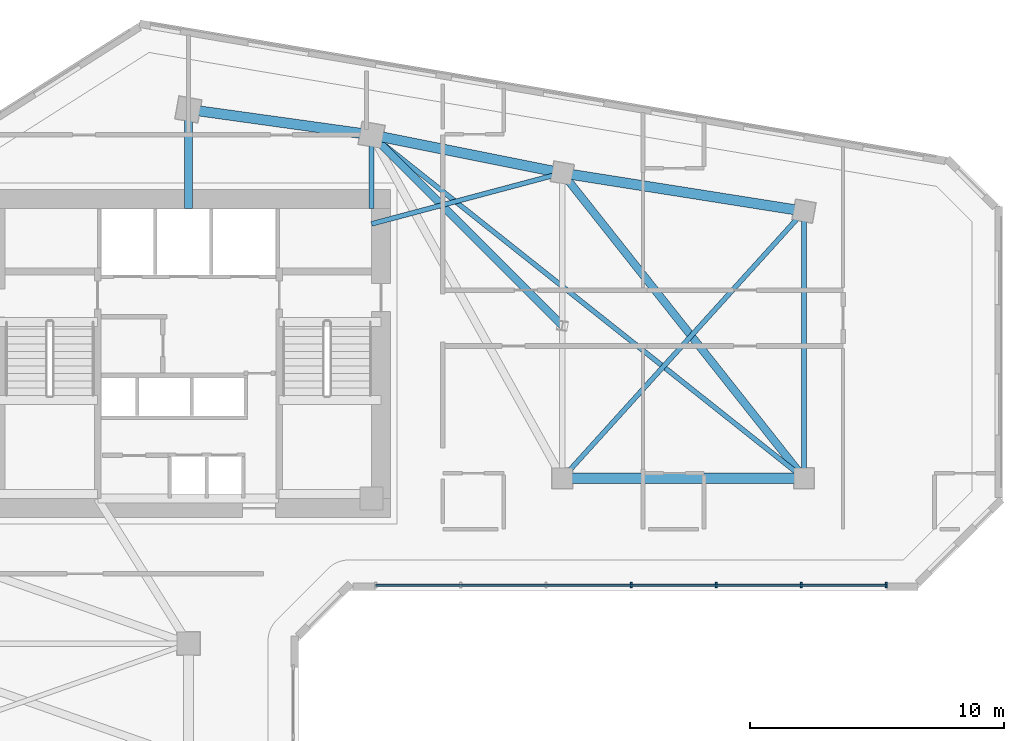
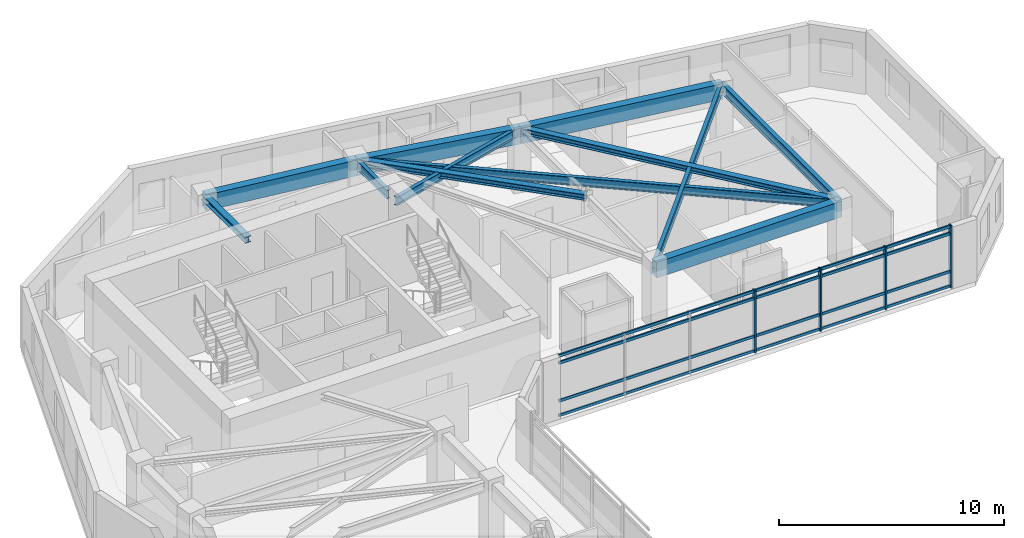
# One storey, part 3 of 11: 12 beams, 8 members, 1 element without a shape of its own.
"""IFC4 building model written with IfcOpenShell, lengths in metres."""

from ifc_helpers import new_model, si_unit, direction, frame, origin, origin_2d, place, context, subcontext, project, spatial, rectangle, i_section, extrude, source, transform, mapped, material, material_profile, profile_set, type_object, element, aggregate, save


model = new_model("IFC4")

# Units and contexts
model_context = context("Model", 3, precision=1e-05, world=origin(), true_north=direction((0.0, 1.0)))
body_context = subcontext(model_context, "Body", "Model", "MODEL_VIEW")
ifc_project = project(units=[si_unit("LENGTHUNIT", "METRE"), si_unit("AREAUNIT", "SQUARE_METRE"), si_unit("VOLUMEUNIT", "CUBIC_METRE"), si_unit("PLANEANGLEUNIT", "RADIAN"), si_unit("MASSUNIT", "GRAM", prefix="KILO")], contexts=[model_context])

# Site, building, storey
site_placement = place(None, origin())
site = spatial("IfcSite", under=ifc_project, at=site_placement, CompositionType="ELEMENT")
building_placement = place(site_placement, origin())
building = spatial("IfcBuilding", under=site, at=building_placement, Name="Calvemar Wedge Station Tower", CompositionType="ELEMENT")
storey_placement = place(building_placement, frame((0.0, 0.0, 161.0)))
storey = spatial("IfcBuildingStorey", under=building, at=storey_placement, Name="L40", CompositionType="ELEMENT", Elevation=161.0)

# Beams
ifc_material_1 = material(Name="Concrete C60", Category="concrete")
ifc_material_profile_1 = material_profile(ifc_material_1, rectangle(XDim=0.39990234375, YDim=0.85009765625, at=origin_2d()), Name="RC400x850")
ifc_profile_set_1 = profile_set([ifc_material_profile_1], Name="Concrete C60")
beam_type_1 = type_object("IfcBeamType", Name="BM-SP1-850", PredefinedType="SPANDREL", material=ifc_profile_set_1)
shared_shape_1 = source(origin(), body_context, "Body", "SweptSolid", [
    extrude(rectangle(XDim=0.39990234375, YDim=0.85009765625, at=origin_2d()), origin(), (0.0, 0.0, 1.0), 7.26904296875),
])
beam_1_placement = place(storey_placement, frame((23.800048828125, 49.5, 2.925048828125), z_axis=(0.990492146053, -0.13756928657, 0.0), x_axis=(0.13756928657, 0.990492146053, 0.0)))
element("IfcBeam", 1, at=beam_1_placement, inside=storey, type_object=beam_type_1, Name="Storey L40 Spandrel T-N1-T-N2", PredefinedType="SPANDREL", context=body_context, shape_type="MappedRepresentation", body=[
    mapped(shared_shape_1, transform((0.0, 0.0, 0.0), scale=1.0)),
])
shared_shape_2 = source(origin(), body_context, "Body", "SweptSolid", [
    extrude(rectangle(XDim=0.39990234375, YDim=0.85009765625, at=origin_2d()), origin(), (0.0, 0.0, 1.0), 7.6484375),
])
beam_2_placement = place(storey_placement, frame((31.0, 48.5, 2.925048828125), z_axis=(0.980580675691, -0.196116135138, 0.0), x_axis=(0.196116135138, 0.980580675691, 0.0)))
element("IfcBeam", 2, at=beam_2_placement, inside=storey, type_object=beam_type_1, Name="Storey L40 Spandrel T-N2-T-NU3", PredefinedType="SPANDREL", context=body_context, shape_type="MappedRepresentation", body=[
    mapped(shared_shape_2, transform((0.0, 0.0, 0.0), scale=1.0)),
])
shared_shape_3 = source(origin(), body_context, "Body", "SweptSolid", [
    extrude(rectangle(XDim=0.39990234375, YDim=0.85009765625, at=origin_2d()), origin(), (0.0, 0.0, 1.0), 9.61767578125),
])
beam_3_placement = place(storey_placement, frame((38.5, 47.0, 2.925048828125), z_axis=(0.987762965329, -0.155962573473, 0.0), x_axis=(0.155962573473, 0.987762965329, 0.0)))
element("IfcBeam", 3, at=beam_3_placement, inside=storey, type_object=beam_type_1, Name="Storey L40 Spandrel T-NU3-T-NU4", PredefinedType="SPANDREL", context=body_context, shape_type="MappedRepresentation", body=[
    mapped(shared_shape_3, transform((0.0, 0.0, 0.0), scale=1.0)),
])
shared_shape_4 = source(origin(), body_context, "Body", "SweptSolid", [
    extrude(rectangle(XDim=0.39990234375, YDim=0.85009765625, at=origin_2d()), origin(), (0.0, 0.0, 1.0), 9.5),
])
beam_4_placement = place(storey_placement, frame((38.5, 35.0, 2.925048828125), z_axis=(1.0, 0.0, 0.0), x_axis=(0.0, 1.0, 0.0)))
element("IfcBeam", 4, at=beam_4_placement, inside=storey, type_object=beam_type_1, Name="Storey L40 Spandrel T-NL2-T-NL3", PredefinedType="SPANDREL", context=body_context, shape_type="MappedRepresentation", body=[
    mapped(shared_shape_4, transform((0.0, 0.0, 0.0), scale=1.0)),
])
ifc_material_2 = material(Name="Structural steel ASTM A572 Grade 50", Category="steel")
ifc_material_profile_2 = material_profile(ifc_material_2, i_section(OverallWidth=0.19189453125, OverallDepth=0.462890625, WebThickness=0.010498046875, FlangeThickness=0.017578125, FilletRadius=0.012939453125, at=origin_2d()), Name="W460x89")
ifc_profile_set_2 = profile_set([ifc_material_profile_2], Name="Structural steel ASTM A572 Grade 50")
beam_type_2 = type_object("IfcBeamType", Name="BM-J1-W460", PredefinedType="JOIST", material=ifc_profile_set_2)
shared_shape_5 = source(origin(), body_context, "Body", "SweptSolid", [
    extrude(i_section(OverallWidth=0.19189453125, OverallDepth=0.462890625, WebThickness=0.010498046875, FlangeThickness=0.017578125, FilletRadius=0.012939453125, at=origin_2d()), origin(), (0.0, 0.0, 1.0), 21.708251953125),
])
beam_5_placement = place(storey_placement, frame((31.0, 48.5, 3.118408203125), z_axis=(0.783110847498, -0.621882143602, 0.0), x_axis=(0.621882143602, 0.783110847498, 0.0)))
element("IfcBeam", 5, at=beam_5_placement, inside=storey, type_object=beam_type_2, Name="Storey L40 Floor Beam T-N2-T-NL3", PredefinedType="JOIST", context=body_context, shape_type="MappedRepresentation", body=[
    mapped(shared_shape_5, transform((0.0, 0.0, 0.0), scale=1.0)),
])
ifc_material_profile_3 = material_profile(ifc_material_2, i_section(OverallWidth=0.30908203125, OverallDepth=0.322998046875, WebThickness=0.013916015625, FlangeThickness=0.02294921875, FilletRadius=0.014892578125, at=origin_2d()), Name="W310x143")
ifc_profile_set_3 = profile_set([ifc_material_profile_3], Name="Structural steel ASTM A572 Grade 50")
beam_type_3 = type_object("IfcBeamType", Name="BM-J5-W310H", PredefinedType="JOIST", material=ifc_profile_set_3)
shared_shape_6 = source(origin(), body_context, "Body", "SweptSolid", [
    extrude(i_section(OverallWidth=0.30908203125, OverallDepth=0.322998046875, WebThickness=0.013916015625, FlangeThickness=0.02294921875, FilletRadius=0.014892578125, at=origin_2d()), origin(), (0.0, 0.0, 1.0), 15.30517578125),
])
beam_6_placement = place(storey_placement, frame((38.5, 47.0, 3.1884765625), z_axis=(0.620702944366, -0.784045824462, 0.0), x_axis=(0.784045824462, 0.620702944366, 0.0)))
element("IfcBeam", 6, at=beam_6_placement, inside=storey, type_object=beam_type_3, Name="Storey L40 Floor Beam T-NU3-T-NL3", PredefinedType="JOIST", context=body_context, shape_type="MappedRepresentation", body=[
    mapped(shared_shape_6, transform((0.0, 0.0, 0.0), scale=1.0)),
])
shared_shape_7 = source(origin(), body_context, "Body", "SweptSolid", [
    extrude(i_section(OverallWidth=0.19189453125, OverallDepth=0.462890625, WebThickness=0.010498046875, FlangeThickness=0.017578125, FilletRadius=0.012939453125, at=origin_2d()), origin(), (0.0, 0.0, 1.0), 14.159912109375),
])
beam_7_placement = place(storey_placement, frame((38.5, 35.0, 3.118408203125), z_axis=(0.670913323969, 0.741535779124, 0.0), x_axis=(-0.741535779124, 0.670913323969, 0.0)))
element("IfcBeam", 7, at=beam_7_placement, inside=storey, type_object=beam_type_2, Name="Storey L40 Floor Beam T-NL2-T-NU4", PredefinedType="JOIST", context=body_context, shape_type="MappedRepresentation", body=[
    mapped(shared_shape_7, transform((0.0, 0.0, 0.0), scale=1.0)),
])
shared_shape_8 = source(origin(), body_context, "Body", "SweptSolid", [
    extrude(i_section(OverallWidth=0.19189453125, OverallDepth=0.462890625, WebThickness=0.010498046875, FlangeThickness=0.017578125, FilletRadius=0.012939453125, at=origin_2d()), origin(), (0.0, 0.0, 1.0), 7.76220703125),
])
beam_8_placement = place(storey_placement, frame((31.0, 45.0, 3.118408203125), z_axis=(0.966234939601, 0.25766265056, 0.0), x_axis=(-0.25766265056, 0.966234939601, 0.0)))
element("IfcBeam", 8, at=beam_8_placement, inside=storey, type_object=beam_type_2, Name="Storey L40 Core-to-Column Joist CJ-E2", PredefinedType="JOIST", context=body_context, shape_type="MappedRepresentation", body=[
    mapped(shared_shape_8, transform((0.0, 0.0, 0.0), scale=1.0)),
])
shared_shape_9 = source(origin(), body_context, "Body", "SweptSolid", [
    extrude(i_section(OverallWidth=0.30908203125, OverallDepth=0.322998046875, WebThickness=0.013916015625, FlangeThickness=0.02294921875, FilletRadius=0.014892578125, at=origin_2d()), origin(), (0.0, 0.0, 1.0), 3.89990234375),
])
beam_9_placement = place(storey_placement, frame((23.800048828125, 45.60009765625, 3.1884765625), z_axis=(0.0, 1.0, 0.0), x_axis=(-1.0, 0.0, 0.0)))
element("IfcBeam", 9, at=beam_9_placement, inside=storey, type_object=beam_type_3, Name="Storey L40 Core-to-Column Joist CJ-N1", PredefinedType="JOIST", context=body_context, shape_type="MappedRepresentation", body=[
    mapped(shared_shape_9, transform((0.0, 0.0, 0.0), scale=1.0)),
])
shared_shape_10 = source(origin(), body_context, "Body", "SweptSolid", [
    extrude(i_section(OverallWidth=0.19189453125, OverallDepth=0.462890625, WebThickness=0.010498046875, FlangeThickness=0.017578125, FilletRadius=0.012939453125, at=origin_2d()), origin(), (0.0, 0.0, 1.0), 2.89990234375),
])
beam_10_placement = place(storey_placement, frame((31.0, 45.60009765625, 3.118408203125), z_axis=(0.0, 1.0, 0.0), x_axis=(-1.0, 0.0, 0.0)))
element("IfcBeam", 10, at=beam_10_placement, inside=storey, type_object=beam_type_2, Name="Storey L40 Core-to-Column Joist CJ-N2", PredefinedType="JOIST", context=body_context, shape_type="MappedRepresentation", body=[
    mapped(shared_shape_10, transform((0.0, 0.0, 0.0), scale=1.0)),
])
ifc_material_profile_4 = material_profile(ifc_material_2, i_section(OverallWidth=0.2109375, OverallDepth=0.5390625, WebThickness=0.01171875, FlangeThickness=0.018798828125, FilletRadius=0.012939453125, at=origin_2d()), Name="W530x109")
ifc_profile_set_4 = profile_set([ifc_material_profile_4], Name="Structural steel ASTM A572 Grade 50")
beam_type_4 = type_object("IfcBeamType", Name="BM-SB4-W530", PredefinedType="BEAM", material=ifc_profile_set_4)
shared_shape_11 = source(origin(), body_context, "Body", "SweptSolid", [
    extrude(i_section(OverallWidth=0.2109375, OverallDepth=0.5390625, WebThickness=0.01171875, FlangeThickness=0.018798828125, FilletRadius=0.012939453125, at=origin_2d()), origin(), (0.0, 0.0, 1.0), 10.5),
])
beam_11_placement = place(storey_placement, frame((48.0, 45.5, 3.08056640625), z_axis=(0.0, -1.0, 0.0), x_axis=(1.0, 0.0, 0.0)))
element("IfcBeam", 11, at=beam_11_placement, inside=storey, type_object=beam_type_4, Name="Storey L40 Floor Beam T-NU4-T-NL3", PredefinedType="BEAM", context=body_context, shape_type="MappedRepresentation", body=[
    mapped(shared_shape_11, transform((0.0, 0.0, 0.0), scale=1.0)),
])
shared_shape_12 = source(origin(), body_context, "Body", "SweptSolid", [
    extrude(i_section(OverallWidth=0.30908203125, OverallDepth=0.322998046875, WebThickness=0.013916015625, FlangeThickness=0.02294921875, FilletRadius=0.014892578125, at=origin_2d()), origin(), (0.0, 0.0, 1.0), 10.606689453125),
])
beam_12_placement = place(storey_placement, frame((38.5, 41.0, 3.1884765625), z_axis=(-0.707106781187, 0.707106781187, 0.0), x_axis=(-0.707106781187, -0.707106781187, 0.0)))
element("IfcBeam", 12, at=beam_12_placement, inside=storey, type_object=beam_type_3, Name="Storey L40 Floor Beam T-NTIP-B-T-N2", PredefinedType="JOIST", context=body_context, shape_type="MappedRepresentation", body=[
    mapped(shared_shape_12, transform((0.0, 0.0, 0.0), scale=1.0)),
])

# Curtain wall, members
ifc_material_3 = material(Name="Anodised aluminium 6063-T6", Category="aluminium")
curtain_wall_type = type_object("IfcCurtainWallType", Name="CW2", PredefinedType="NOTDEFINED", material=ifc_material_3)
curtain_wall_placement = place(storey_placement, origin())
curtain_wall = element("IfcCurtainWall", 13, at=curtain_wall_placement, inside=storey, type_object=curtain_wall_type, Name="Storey L40 CW2 Recessed Unitised Curtain Wall 6", PredefinedType="NOTDEFINED")
ifc_material_profile_5 = material_profile(ifc_material_3, rectangle(XDim=0.074951171875, YDim=0.219970703125, at=origin_2d()), Name="AL-MUL-75x220")
ifc_profile_set_5 = profile_set([ifc_material_profile_5], Name="Anodised aluminium 6063-T6")
member_type_1 = type_object("IfcMemberType", Name="CW2-MUL", PredefinedType="MULLION", material=ifc_profile_set_5)
shared_shape_13 = source(origin(), body_context, "Body", "SweptSolid", [
    extrude(rectangle(XDim=0.074951171875, YDim=0.219970703125, at=origin_2d()), origin(), (0.0, 0.0, 1.0), 3.400146484375),
])
member_1_placement = place(storey_placement, frame((41.201904296875, 30.802001953125, -0.050048828125), z_axis=(0.0, 0.0, 1.0), x_axis=(1.0, 0.0, 0.0)))
member_1 = element("IfcMember", 14, at=member_1_placement, type_object=member_type_1, Name="CW2 mullion 4", PredefinedType="MULLION", context=body_context, shape_type="MappedRepresentation", body=[
    mapped(shared_shape_13, transform((0.0, 0.0, 0.0), scale=1.0)),
])
member_2_placement = place(storey_placement, frame((44.547119140625, 30.802001953125, -0.050048828125), z_axis=(0.0, 0.0, 1.0), x_axis=(1.0, 0.0, 0.0)))
member_2 = element("IfcMember", 15, at=member_2_placement, type_object=member_type_1, Name="CW2 mullion 5", PredefinedType="MULLION", context=body_context, shape_type="MappedRepresentation", body=[
    mapped(shared_shape_13, transform((0.0, 0.0, 0.0), scale=1.0)),
])
member_3_placement = place(storey_placement, frame((47.892578125, 30.802001953125, -0.050048828125), z_axis=(0.0, 0.0, 1.0), x_axis=(1.0, 0.0, 0.0)))
member_3 = element("IfcMember", 16, at=member_3_placement, type_object=member_type_1, Name="CW2 mullion 6", PredefinedType="MULLION", context=body_context, shape_type="MappedRepresentation", body=[
    mapped(shared_shape_13, transform((0.0, 0.0, 0.0), scale=1.0)),
])
member_4_placement = place(storey_placement, frame((51.23779296875, 30.802001953125, -0.050048828125), z_axis=(0.0, 0.0, 1.0), x_axis=(1.0, 0.0, 0.0)))
member_4 = element("IfcMember", 17, at=member_4_placement, type_object=member_type_1, Name="CW2 mullion 7", PredefinedType="MULLION", context=body_context, shape_type="MappedRepresentation", body=[
    mapped(shared_shape_13, transform((0.0, 0.0, 0.0), scale=1.0)),
])
ifc_material_profile_6 = material_profile(ifc_material_3, rectangle(XDim=0.074951171875, YDim=0.14990234375, at=origin_2d()), Name="AL-TRN-75x150")
ifc_profile_set_6 = profile_set([ifc_material_profile_6], Name="Anodised aluminium 6063-T6")
member_type_2 = type_object("IfcMemberType", Name="CW2-TRN", PredefinedType="USERDEFINED", material=ifc_profile_set_6)
shared_shape_14 = source(origin(), body_context, "Body", "SweptSolid", [
    extrude(rectangle(XDim=0.074951171875, YDim=0.14990234375, at=origin_2d()), origin(), (0.0, 0.0, 1.0), 20.07177734375),
])
member_5_placement = place(storey_placement, frame((31.166015625, 30.802001953125, 0.06005859375), z_axis=(1.0, 0.0, 0.0), x_axis=(0.0, 1.0, 0.0)))
member_5 = element("IfcMember", 18, at=member_5_placement, type_object=member_type_2, Name="CW2 transom 1", ObjectType="TRANSOM", PredefinedType="USERDEFINED", context=body_context, shape_type="MappedRepresentation", body=[
    mapped(shared_shape_14, transform((0.0, 0.0, 0.0), scale=1.0)),
])
member_6_placement = place(storey_placement, frame((31.166015625, 30.802001953125, 0.85009765625), z_axis=(1.0, 0.0, 0.0), x_axis=(0.0, 1.0, 0.0)))
member_6 = element("IfcMember", 19, at=member_6_placement, type_object=member_type_2, Name="CW2 transom 2", ObjectType="TRANSOM", PredefinedType="USERDEFINED", context=body_context, shape_type="MappedRepresentation", body=[
    mapped(shared_shape_14, transform((0.0, 0.0, 0.0), scale=1.0)),
])
member_7_placement = place(storey_placement, frame((31.166015625, 30.802001953125, 2.89990234375), z_axis=(1.0, 0.0, 0.0), x_axis=(0.0, 1.0, 0.0)))
member_7 = element("IfcMember", 20, at=member_7_placement, type_object=member_type_2, Name="CW2 transom 3", ObjectType="TRANSOM", PredefinedType="USERDEFINED", context=body_context, shape_type="MappedRepresentation", body=[
    mapped(shared_shape_14, transform((0.0, 0.0, 0.0), scale=1.0)),
])
member_8_placement = place(storey_placement, frame((31.166015625, 30.802001953125, 3.2900390625), z_axis=(1.0, 0.0, 0.0), x_axis=(0.0, 1.0, 0.0)))
member_8 = element("IfcMember", 21, at=member_8_placement, type_object=member_type_2, Name="CW2 transom 4", ObjectType="TRANSOM", PredefinedType="USERDEFINED", context=body_context, shape_type="MappedRepresentation", body=[
    mapped(shared_shape_14, transform((0.0, 0.0, 0.0), scale=1.0)),
])
aggregate(curtain_wall, [member_1, member_2, member_3, member_4, member_5, member_6, member_7, member_8])

save(model, "model.ifc")
